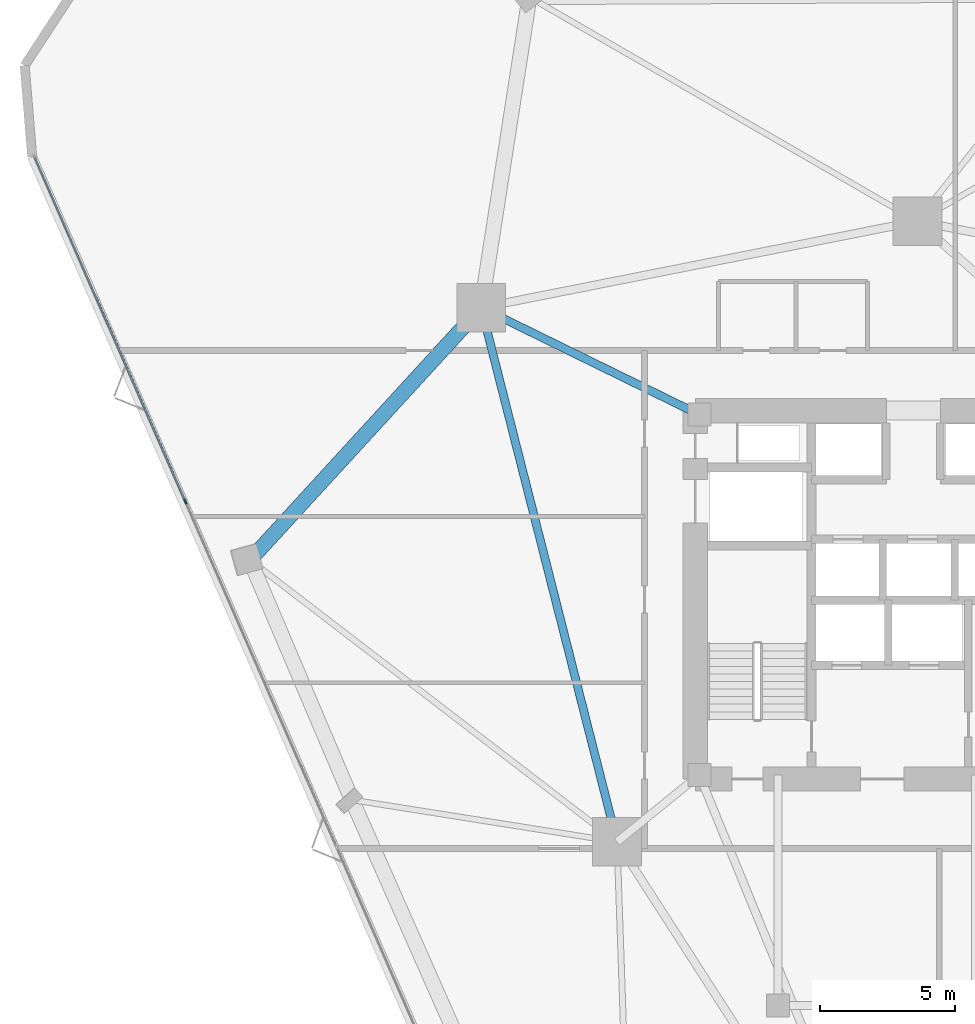
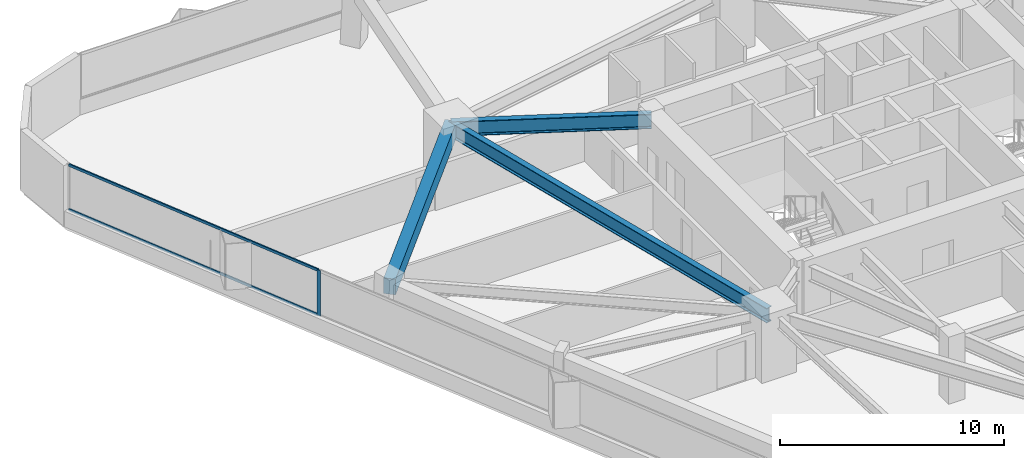
# One storey, part 8 of 20: 3 beams, 3 members, 1 element without a shape of its own.
"""IFC4 building model written with IfcOpenShell, lengths in metres."""

from ifc_helpers import new_model, si_unit, direction, frame, origin, origin_2d, place, context, subcontext, project, spatial, rectangle, i_section, extrude, material, layer, layer_set, material_profile, profile_set, type_object, element, aggregate, save


model = new_model("IFC4")

# Units and contexts
model_context = context("Model", 3, precision=1e-05, world=origin(), true_north=direction((0.0, 1.0)))
body_context = subcontext(model_context, "Body", "Model", "MODEL_VIEW")
ifc_project = project(units=[si_unit("LENGTHUNIT", "METRE"), si_unit("AREAUNIT", "SQUARE_METRE"), si_unit("VOLUMEUNIT", "CUBIC_METRE"), si_unit("PLANEANGLEUNIT", "RADIAN"), si_unit("MASSUNIT", "GRAM", prefix="KILO")], contexts=[model_context])

# Site, building, storey
site_placement = place(None, origin())
site = spatial("IfcSite", under=ifc_project, at=site_placement, CompositionType="ELEMENT")
building_placement = place(site_placement, origin())
building = spatial("IfcBuilding", under=site, at=building_placement, Name="Talyreon Biosciences Tower", CompositionType="ELEMENT")
storey_placement = place(building_placement, frame((0.0, 0.0, 62.949951171875)))
storey = spatial("IfcBuildingStorey", under=building, at=storey_placement, Name="L16", CompositionType="ELEMENT", Elevation=62.949951171875)

# Curtain wall, members
ifc_material_1 = material(Name="Thermally broken aluminium and low-E glazing", Category="aluminium")
ifc_layer = layer(ifc_material_1, 0.195068359375)
ifc_layer_set = layer_set([ifc_layer], Name="Thermally broken aluminium and low-E glazing")
curtain_wall_type = type_object("IfcCurtainWallType", Name="CurtainWall_Zone1WetLab", PredefinedType="NOTDEFINED", material=ifc_layer_set)
curtain_wall_placement = place(storey_placement, origin())
curtain_wall = element("IfcCurtainWall", 1, at=curtain_wall_placement, inside=storey, type_object=curtain_wall_type, Name="L16 Unitised Curtain Wall FCW-L16-00", PredefinedType="NOTDEFINED")
ifc_material_2 = material(Name="Anodised thermally broken aluminium", Category="aluminium")
ifc_material_profile_1 = material_profile(ifc_material_2, rectangle(XDim=0.06494140625, YDim=0.179931640625, at=origin_2d()), Name="ALUM MULLION 65x180")
ifc_profile_set_1 = profile_set([ifc_material_profile_1], Name="Anodised thermally broken aluminium")
member_type_1 = type_object("IfcMemberType", Name="CWMullion_65x180", PredefinedType="MULLION", material=ifc_profile_set_1)
member_1_placement = place(storey_placement, frame((38.977294921875, 71.4453125, 0.81005859375), z_axis=(0.0, 0.0, 1.0), x_axis=(-0.916092182361, -0.400967721165, 0.0)))
member_1 = element("IfcMember", 2, at=member_1_placement, type_object=member_type_1, Name="CW2 mullion 5", PredefinedType="MULLION", context=body_context, shape_type="SweptSolid", body=[
    extrude(rectangle(XDim=0.06494140625, YDim=0.179931640625, at=origin_2d()), origin(), (0.0, 0.0, 1.0), 2.489990234375),
])
ifc_material_profile_2 = material_profile(ifc_material_2, rectangle(XDim=0.06494140625, YDim=0.139892578125, at=origin_2d()), Name="ALUM TRANSOM 65x140")
ifc_profile_set_2 = profile_set([ifc_material_profile_2], Name="Anodised thermally broken aluminium")
member_type_2 = type_object("IfcMemberType", Name="CWTransom_65x140", PredefinedType="USERDEFINED", material=ifc_profile_set_2)
member_2_placement = place(storey_placement, frame((38.96435546875, 71.47509765625, 0.842529296875), z_axis=(-0.400982781264, 0.916085590504, 0.0), x_axis=(-0.916085590504, -0.400982781264, 0.0)))
member_2 = element("IfcMember", 3, at=member_2_placement, type_object=member_type_2, Name="CW2 transom 5.1", ObjectType="TRANSOM", PredefinedType="USERDEFINED", context=body_context, shape_type="SweptSolid", body=[
    extrude(rectangle(XDim=0.06494140625, YDim=0.139892578125, at=origin_2d()), origin(), (0.0, 0.0, 1.0), 13.826416015625),
])
member_3_placement = place(storey_placement, frame((38.96435546875, 71.47509765625, 3.267578125), z_axis=(-0.400982781264, 0.916085590504, 0.0), x_axis=(-0.916085590504, -0.400982781264, 0.0)))
member_3 = element("IfcMember", 4, at=member_3_placement, type_object=member_type_2, Name="CW2 transom 5.2", ObjectType="TRANSOM", PredefinedType="USERDEFINED", context=body_context, shape_type="SweptSolid", body=[
    extrude(rectangle(XDim=0.06494140625, YDim=0.139892578125, at=origin_2d()), origin(), (0.0, 0.0, 1.0), 13.826416015625),
])
aggregate(curtain_wall, [member_1, member_2, member_3])

# Beams
ifc_material_3 = material(Name="Precast concrete C45/55", Category="concrete")
ifc_material_profile_3 = material_profile(ifc_material_3, rectangle(XDim=0.550048828125, YDim=0.85009765625, at=origin_2d()), Name="RCB 550x850")
ifc_profile_set_3 = profile_set([ifc_material_profile_3], Name="Precast concrete C45/55")
beam_type_1 = type_object("IfcBeamType", Name="ExpressedSpandrel_550x850", PredefinedType="SPANDREL", material=ifc_profile_set_3)
beam_1_placement = place(storey_placement, frame((49.897705078125, 78.5986328125, 2.875), z_axis=(-0.675569764735, -0.737296068737, 0.0), x_axis=(0.737296068737, -0.675569764735, 0.0)))
element("IfcBeam", 5, at=beam_1_placement, inside=storey, type_object=beam_type_1, Name="L16 Expressed Horizontal Concrete Spandrel 09", PredefinedType="SPANDREL", context=body_context, shape_type="SweptSolid", body=[
    extrude(rectangle(XDim=0.550048828125, YDim=0.85009765625, at=origin_2d()), origin(), (0.0, 0.0, 1.0), 12.636962890625),
])
ifc_material_4 = material(Name="Steel SM355", Category="steel")
ifc_material_profile_4 = material_profile(ifc_material_4, i_section(OverallWidth=0.300048828125, OverallDepth=0.800048828125, WebThickness=0.017578125, FlangeThickness=0.032958984375, FilletRadius=0.030029296875, at=origin_2d()), Name="HE800B")
ifc_profile_set_4 = profile_set([ifc_material_profile_4], Name="Steel SM355")
beam_type_2 = type_object("IfcBeamType", Name="SteelGirder_HE800B", PredefinedType="BEAM", material=ifc_profile_set_4)
beam_2_placement = place(storey_placement, frame((49.897705078125, 78.5986328125, 2.900146484375), z_axis=(0.246537082299, -0.969133358755, 0.0), x_axis=(0.969133358755, 0.246537082299, 0.0)))
element("IfcBeam", 6, at=beam_2_placement, inside=storey, type_object=beam_type_2, Name="L16 Mega-Ring Girder 5", PredefinedType="BEAM", context=body_context, shape_type="SweptSolid", body=[
    extrude(i_section(OverallWidth=0.300048828125, OverallDepth=0.800048828125, WebThickness=0.017578125, FlangeThickness=0.032958984375, FilletRadius=0.030029296875, at=origin_2d()), origin(), (0.0, 0.0, 1.0), 20.34619140625),
])
beam_3_placement = place(storey_placement, frame((57.949951171875, 74.64990234375, 2.900146484375), z_axis=(-0.897852360314, 0.440296648952, 0.0), x_axis=(-0.440296648952, -0.897852360314, 0.0)))
element("IfcBeam", 7, at=beam_3_placement, inside=storey, type_object=beam_type_2, Name="L16 Radial Primary Girder 5", PredefinedType="BEAM", context=body_context, shape_type="SweptSolid", body=[
    extrude(i_section(OverallWidth=0.300048828125, OverallDepth=0.800048828125, WebThickness=0.017578125, FlangeThickness=0.032958984375, FilletRadius=0.030029296875, at=origin_2d()), origin(), (0.0, 0.0, 1.0), 8.96826171875),
])

save(model, "model.ifc")
